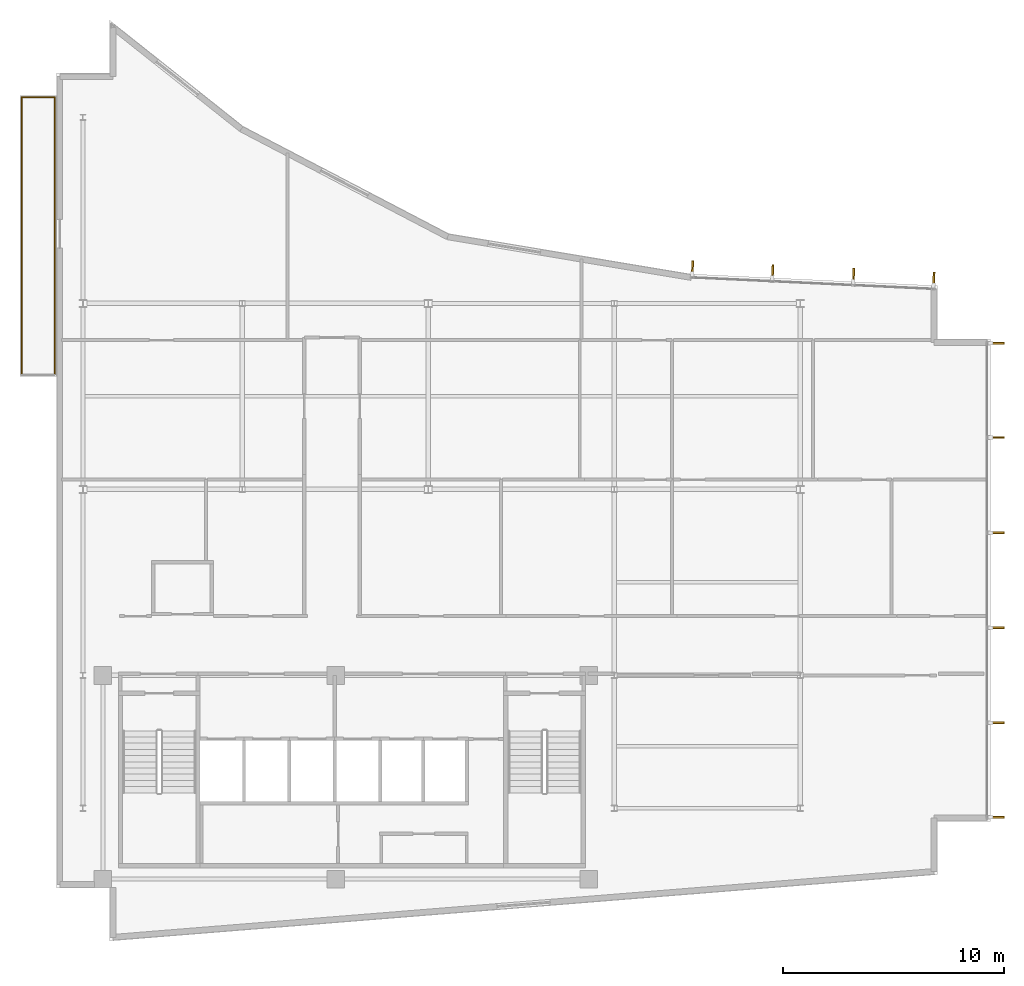
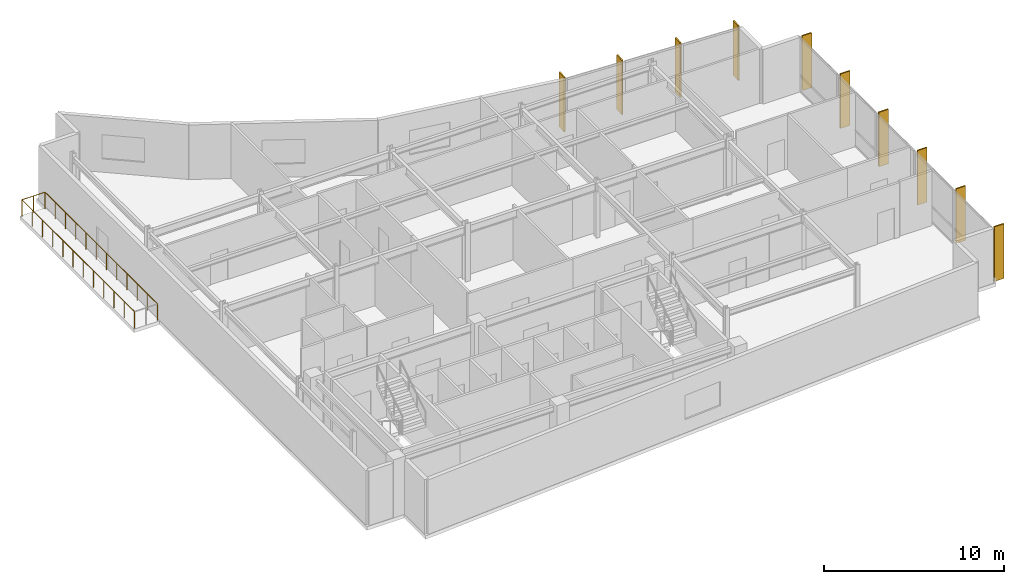
# One storey, part 15 of 16: 10 shading devices, 3 railings.
"""IFC4 building model written with IfcOpenShell, lengths in metres."""

from ifc_helpers import new_model, si_unit, direction, frame, origin, origin_2d, place, context, subcontext, project, spatial, rectangle, circle, extrude, material, layer, layer_set, type_object, element, save


model = new_model("IFC4")

# Units and contexts
model_context = context("Model", 3, precision=1e-05, world=origin(), true_north=direction((0.0, 1.0)))
body_context = subcontext(model_context, "Body", "Model", "MODEL_VIEW")
ifc_project = project(units=[si_unit("LENGTHUNIT", "METRE"), si_unit("AREAUNIT", "SQUARE_METRE"), si_unit("VOLUMEUNIT", "CUBIC_METRE"), si_unit("PLANEANGLEUNIT", "RADIAN"), si_unit("MASSUNIT", "GRAM", prefix="KILO")], contexts=[model_context])

# Site, building, storey
site_placement = place(None, origin())
site = spatial("IfcSite", under=ifc_project, at=site_placement, CompositionType="ELEMENT")
building_placement = place(site_placement, origin())
building = spatial("IfcBuilding", under=site, at=building_placement, Name="Varnakote Quay Hospital", CompositionType="ELEMENT")
storey_placement = place(building_placement, frame((0.0, 0.0, 264.449951171875)))
storey = spatial("IfcBuildingStorey", under=building, at=storey_placement, Name="L65", CompositionType="ELEMENT", Elevation=264.449951171875)

# Railings
ifc_material_1 = material(Name="Anodised aluminium 6063-T6 Bronze", Category="aluminium")
railing_type = type_object("IfcRailingType", Name="RLG-EXT-GUARD-1150", PredefinedType="GUARDRAIL", material=ifc_material_1)
railing_1_placement = place(storey_placement, frame((-1.56005859375, 25.580078125, 0.0)))
element("IfcRailing", 1, at=railing_1_placement, inside=storey, type_object=railing_type, Name="L65 Zigzag Prow Healing Terrace Safety Guard", PredefinedType="GUARDRAIL", context=body_context, shape_type="SweptSolid", body=[
    extrude(circle(Radius=0.02392578125, at=origin_2d()), frame((0.0, 0.0, 1.1259765625), z_axis=(0.0, 1.0, 0.0), x_axis=(-1.0, 0.0, 0.0)), (0.0, 0.0, 1.0), 12.5400390625),
    extrude(circle(Radius=0.02099609375, at=origin_2d()), origin(), (0.0, 0.0, 1.0), 1.101806640625),
    extrude(circle(Radius=0.02099609375, at=origin_2d()), frame((0.0, 1.139892578125, 0.0)), (0.0, 0.0, 1.0), 1.101806640625),
    extrude(circle(Radius=0.02099609375, at=origin_2d()), frame((0.0, 2.280029296875, 0.0)), (0.0, 0.0, 1.0), 1.101806640625),
    extrude(circle(Radius=0.02099609375, at=origin_2d()), frame((0.0, 3.419921875, 0.0)), (0.0, 0.0, 1.0), 1.101806640625),
    extrude(circle(Radius=0.02099609375, at=origin_2d()), frame((0.0, 4.56005859375, 0.0)), (0.0, 0.0, 1.0), 1.101806640625),
    extrude(circle(Radius=0.02099609375, at=origin_2d()), frame((0.0, 5.699951171875, 0.0)), (0.0, 0.0, 1.0), 1.101806640625),
    extrude(circle(Radius=0.02099609375, at=origin_2d()), frame((0.0, 6.840087890625, 0.0)), (0.0, 0.0, 1.0), 1.101806640625),
    extrude(circle(Radius=0.02099609375, at=origin_2d()), frame((0.0, 7.97998046875, 0.0)), (0.0, 0.0, 1.0), 1.101806640625),
    extrude(circle(Radius=0.02099609375, at=origin_2d()), frame((0.0, 9.1201171875, 0.0)), (0.0, 0.0, 1.0), 1.101806640625),
    extrude(circle(Radius=0.02099609375, at=origin_2d()), frame((0.0, 10.260009765625, 0.0)), (0.0, 0.0, 1.0), 1.101806640625),
    extrude(circle(Radius=0.02099609375, at=origin_2d()), frame((0.0, 11.400146484375, 0.0)), (0.0, 0.0, 1.0), 1.101806640625),
    extrude(circle(Radius=0.02099609375, at=origin_2d()), frame((0.0, 12.5400390625, 0.0)), (0.0, 0.0, 1.0), 1.101806640625),
])
railing_2_placement = place(storey_placement, frame((-1.56005859375, 38.1201171875, 0.0)))
element("IfcRailing", 2, at=railing_2_placement, inside=storey, type_object=railing_type, Name="L65 Zigzag Prow Healing Terrace Safety Guard", PredefinedType="GUARDRAIL", context=body_context, shape_type="SweptSolid", body=[
    extrude(circle(Radius=0.02392578125, at=origin_2d()), frame((0.0, 0.0, 1.1259765625), z_axis=(1.0, 0.0, 0.0), x_axis=(0.0, 1.0, 0.0)), (0.0, 0.0, 1.0), 1.484130859375),
    extrude(circle(Radius=0.02099609375, at=origin_2d()), origin(), (0.0, 0.0, 1.0), 1.101806640625),
    extrude(circle(Radius=0.02099609375, at=origin_2d()), frame((0.7421875, 0.0, 0.0)), (0.0, 0.0, 1.0), 1.101806640625),
    extrude(circle(Radius=0.02099609375, at=origin_2d()), frame((1.484130859375, 0.0, 0.0)), (0.0, 0.0, 1.0), 1.101806640625),
])
railing_3_placement = place(storey_placement, frame((-0.075927734375, 38.1201171875, 0.0)))
element("IfcRailing", 3, at=railing_3_placement, inside=storey, type_object=railing_type, Name="L65 Zigzag Prow Healing Terrace Safety Guard", PredefinedType="GUARDRAIL", context=body_context, shape_type="SweptSolid", body=[
    extrude(circle(Radius=0.02392578125, at=origin_2d()), frame((0.0, 0.0, 1.1259765625), z_axis=(0.0, -1.0, 0.0), x_axis=(1.0, 0.0, 0.0)), (0.0, 0.0, 1.0), 12.5400390625),
    extrude(circle(Radius=0.02099609375, at=origin_2d()), origin(), (0.0, 0.0, 1.0), 1.101806640625),
    extrude(circle(Radius=0.02099609375, at=origin_2d()), frame((0.0, -1.139892578125, 0.0)), (0.0, 0.0, 1.0), 1.101806640625),
    extrude(circle(Radius=0.02099609375, at=origin_2d()), frame((0.0, -2.280029296875, 0.0)), (0.0, 0.0, 1.0), 1.101806640625),
    extrude(circle(Radius=0.02099609375, at=origin_2d()), frame((0.0, -3.419921875, 0.0)), (0.0, 0.0, 1.0), 1.101806640625),
    extrude(circle(Radius=0.02099609375, at=origin_2d()), frame((0.0, -4.56005859375, 0.0)), (0.0, 0.0, 1.0), 1.101806640625),
    extrude(circle(Radius=0.02099609375, at=origin_2d()), frame((0.0, -5.699951171875, 0.0)), (0.0, 0.0, 1.0), 1.101806640625),
    extrude(circle(Radius=0.02099609375, at=origin_2d()), frame((0.0, -6.840087890625, 0.0)), (0.0, 0.0, 1.0), 1.101806640625),
    extrude(circle(Radius=0.02099609375, at=origin_2d()), frame((0.0, -7.97998046875, 0.0)), (0.0, 0.0, 1.0), 1.101806640625),
    extrude(circle(Radius=0.02099609375, at=origin_2d()), frame((0.0, -9.1201171875, 0.0)), (0.0, 0.0, 1.0), 1.101806640625),
    extrude(circle(Radius=0.02099609375, at=origin_2d()), frame((0.0, -10.260009765625, 0.0)), (0.0, 0.0, 1.0), 1.101806640625),
    extrude(circle(Radius=0.02099609375, at=origin_2d()), frame((0.0, -11.400146484375, 0.0)), (0.0, 0.0, 1.0), 1.101806640625),
    extrude(circle(Radius=0.02099609375, at=origin_2d()), frame((0.0, -12.5400390625, 0.0)), (0.0, 0.0, 1.0), 1.101806640625),
])

# Shading devices
ifc_material_2 = material(Name="Anodised aluminium 6063-T6 Bronze", Category="aluminium")
ifc_layer = layer(ifc_material_2, 0.0849609375)
ifc_layer_set = layer_set([ifc_layer], Name="Anodised aluminium 6063-T6 Bronze")
shading_device_type = type_object("IfcShadingDeviceType", Name="SHD-BRONZE-FIN-620", PredefinedType="USERDEFINED", material=ifc_layer_set)
for number, where, z_axis, x_axis, name in (
    (4, (42.489990234375, 5.592529296875, 0.0), (0.0, 0.0, 1.0), (-1.0, 0.0, 0.0), "L65 Anodised Bronze Vertical Shading FIN"),
    (5, (42.489990234375, 9.85595703125, 0.0), (0.0, 0.0, 1.0), (-1.0, 0.0, 0.0), "L65 Anodised Bronze Vertical Shading FIN"),
    (6, (42.489990234375, 14.152099609375, 0.0), (0.0, 0.0, 1.0), (-1.0, 0.0, 0.0), "L65 Anodised Bronze Vertical Shading FIN"),
    (7, (42.489990234375, 18.447998046875, 0.0), (0.0, 0.0, 1.0), (-1.0, 0.0, 0.0), "L65 Anodised Bronze Vertical Shading FIN"),
    (8, (42.489990234375, 22.743896484375, 0.0), (0.0, 0.0, 1.0), (-1.0, 0.0, 0.0), "L65 Anodised Bronze Vertical Shading FIN"),
    (9, (42.489990234375, 27.007568359375, 0.0), (0.0, 0.0, 1.0), (-1.0, 0.0, 0.0), "L65 Anodised Bronze Vertical Shading FIN"),
    (10, (39.62890625, 29.8984375, 0.0), (0.0, 0.0, 1.0), (-0.047455126176, -0.998873370853, 0.0), "L65 Anodised Bronze Vertical Shading FIN"),
    (11, (36.0078125, 30.070556640625, 0.0), (0.0, 0.0, 1.0), (-0.047455126176, -0.998873370853, 0.0), "L65 Anodised Bronze Vertical Shading FIN"),
    (12, (32.35400390625, 30.244384765625, 0.0), (0.0, 0.0, 1.0), (-0.047455126176, -0.998873370853, 0.0), "L65 Anodised Bronze Vertical Shading FIN"),
    (13, (28.73291015625, 30.41650390625, 0.0), (0.0, 0.0, 1.0), (-0.047455126176, -0.998873370853, 0.0), "L65 Anodised Bronze Vertical Shading FIN"),
):
    element("IfcShadingDevice", number, at=place(storey_placement, frame(where, z_axis=z_axis, x_axis=x_axis)), inside=storey, type_object=shading_device_type, Name=name, ObjectType="FIN", PredefinedType="USERDEFINED", context=body_context, shape_type="SweptSolid", body=[
        extrude(rectangle(XDim=0.6201171875, YDim=0.0849609375, at=origin_2d()), origin(), (0.0, 0.0, 1.0), 3.7099609375),
    ])

save(model, "model.ifc")
